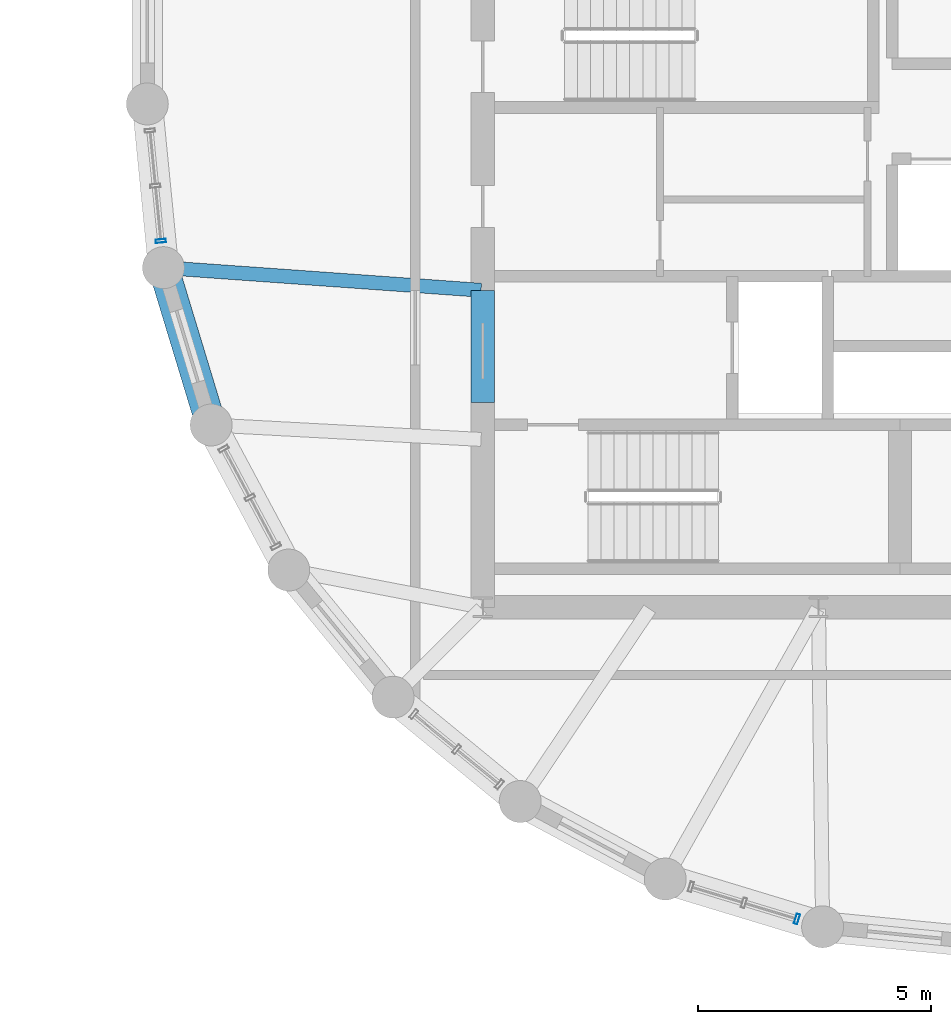
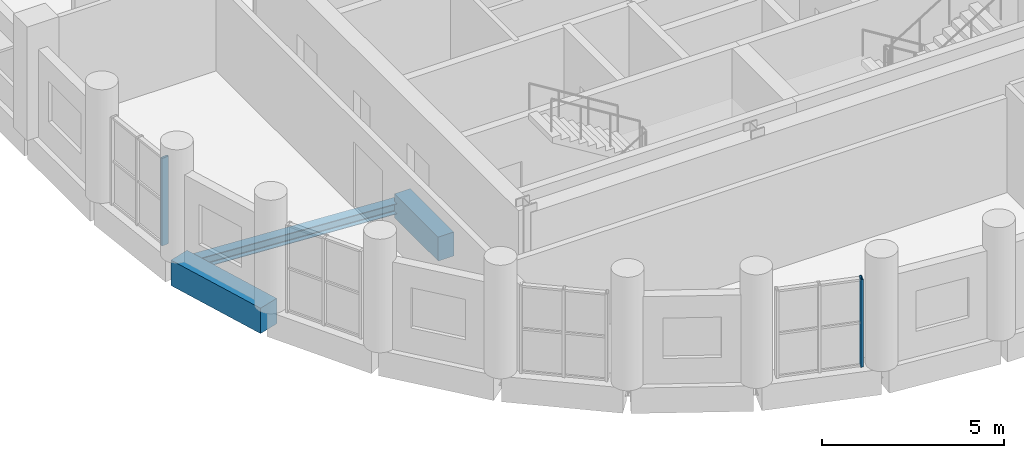
# One storey, part 3 of 14: 3 beams, 2 members, 2 elements without a shape of their own.
"""IFC4 building model written with IfcOpenShell, lengths in metres."""

from ifc_helpers import new_model, si_unit, direction, frame, origin, origin_2d, place, context, subcontext, project, spatial, rectangle, hollow_rectangle, i_section, extrude, material, layer, layer_set, material_profile, profile_set, type_object, element, aggregate, save


model = new_model("IFC4")

# Units and contexts
model_context = context("Model", 3, precision=1e-05, world=origin(), true_north=direction((0.0, 1.0)))
body_context = subcontext(model_context, "Body", "Model", "MODEL_VIEW")
ifc_project = project(units=[si_unit("LENGTHUNIT", "METRE"), si_unit("AREAUNIT", "SQUARE_METRE"), si_unit("VOLUMEUNIT", "CUBIC_METRE"), si_unit("PLANEANGLEUNIT", "RADIAN"), si_unit("MASSUNIT", "GRAM", prefix="KILO")], contexts=[model_context])

# Site, building, storey
site_placement = place(None, origin())
site = spatial("IfcSite", under=ifc_project, at=site_placement, CompositionType="ELEMENT")
building_placement = place(site_placement, origin())
building = spatial("IfcBuilding", under=site, at=building_placement, Name="Solnavia Interchange Tower", CompositionType="ELEMENT")
storey_placement = place(building_placement, frame((0.0, 0.0, 158.0)))
storey = spatial("IfcBuildingStorey", under=building, at=storey_placement, Name="L39", CompositionType="ELEMENT", Elevation=158.0)

# Beams
ifc_material_1 = material(Name="Concrete C50/60", Category="concrete")
ifc_material_profile_1 = material_profile(ifc_material_1, rectangle(XDim=0.5, YDim=0.800048828125, at=origin_2d()), Name="RC 500x800")
ifc_profile_set_1 = profile_set([ifc_material_profile_1], Name="Concrete C50/60")
beam_type_1 = type_object("IfcBeamType", Name="Beam-Coupling-RC500x800", PredefinedType="LINTEL", material=ifc_profile_set_1)
beam_1_placement = place(storey_placement, frame((14.39990234375, 15.199951171875, -0.39990234375), z_axis=(0.0, 1.0, 0.0), x_axis=(-1.0, 0.0, 0.0)))
element("IfcBeam", 1, at=beam_1_placement, inside=storey, type_object=beam_type_1, Name="CPB-L39-W1 Core coupling lintel beam", PredefinedType="LINTEL", context=body_context, shape_type="SweptSolid", body=[
    extrude(rectangle(XDim=0.5, YDim=0.800048828125, at=origin_2d()), origin(), (0.0, 0.0, 1.0), 2.400146484375),
])
ifc_material_2 = material(Name="Steel S355", Category="steel")
ifc_material_profile_2 = material_profile(ifc_material_2, i_section(OverallWidth=0.300048828125, OverallDepth=0.35009765625, WebThickness=0.010009765625, FlangeThickness=0.017578125, FilletRadius=0.027099609375, at=origin_2d()), Name="HEA 360")
ifc_profile_set_2 = profile_set([ifc_material_profile_2], Name="Steel S355")
beam_type_2 = type_object("IfcBeamType", Name="Beam-Primary-HEA360", PredefinedType="BEAM", material=ifc_profile_set_2)
beam_2_placement = place(storey_placement, frame((7.625732421875, 18.082275390625, -0.425048828125), z_axis=(0.99747482749, -0.071020902015, 0.0), x_axis=(0.071020902015, 0.99747482749, 0.0)))
element("IfcBeam", 2, at=beam_2_placement, inside=storey, type_object=beam_type_2, Name="GRD-L39-DR14 Drum radial floor girder", PredefinedType="BEAM", context=body_context, shape_type="SweptSolid", body=[
    extrude(i_section(OverallWidth=0.300048828125, OverallDepth=0.35009765625, WebThickness=0.010009765625, FlangeThickness=0.017578125, FilletRadius=0.027099609375, at=origin_2d()), origin(), (0.0, 0.0, 1.0), 6.75146484375),
])
ifc_material_profile_3 = material_profile(ifc_material_1, rectangle(XDim=0.64990234375, YDim=0.85009765625, at=origin_2d()), Name="RC 650x850")
ifc_profile_set_3 = profile_set([ifc_material_profile_3], Name="Concrete C50/60")
beam_type_3 = type_object("IfcBeamType", Name="Beam-Spandrel-RC650x850", PredefinedType="SPANDREL", material=ifc_profile_set_3)
beam_3_placement = place(storey_placement, frame((7.569091796875, 18.011474609375, -0.425048828125), z_axis=(0.290319223646, -0.956929855518, 0.0), x_axis=(0.956929855518, 0.290319223646, 0.0)))
element("IfcBeam", 3, at=beam_3_placement, inside=storey, type_object=beam_type_3, Name="SPB-L39-02 Framed-tube perimeter spandrel beam", PredefinedType="SPANDREL", context=body_context, shape_type="SweptSolid", body=[
    extrude(rectangle(XDim=0.64990234375, YDim=0.85009765625, at=origin_2d()), origin(), (0.0, 0.0, 1.0), 3.367919921875),
])

# Curtain wall, member
ifc_material_3 = material(Name="Aluminium Alloy 6063-T6", Category="aluminium")
ifc_layer = layer(ifc_material_3, 0.239990234375)
ifc_layer_set = layer_set([ifc_layer], Name="Aluminium Alloy 6063-T6")
curtain_wall_type = type_object("IfcCurtainWallType", Name="CurtainWall-Drum-CTW2", PredefinedType="NOTDEFINED", material=ifc_layer_set)
curtain_wall_1_placement = place(storey_placement, origin())
curtain_wall_1 = element("IfcCurtainWall", 4, at=curtain_wall_1_placement, inside=storey, type_object=curtain_wall_type, Name="CTW-L39-D51 CTW-2 curtain wall", PredefinedType="NOTDEFINED")
ifc_material_profile_4 = material_profile(ifc_material_3, hollow_rectangle(XDim=0.074951171875, YDim=0.219970703125, WallThickness=0.0048828125, at=origin_2d()), Name="ALU 220x75x5")
ifc_profile_set_4 = profile_set([ifc_material_profile_4], Name="Aluminium Alloy 6063-T6")
member_type = type_object("IfcMemberType", Name="CW-Mullion-CWM-2", PredefinedType="MULLION", material=ifc_profile_set_4)
member_1_placement = place(storey_placement, frame((7.489501953125, 18.66015625, 0.0), z_axis=(0.0, 0.0, 1.0), x_axis=(0.098043088306, -0.995182170678, 0.0)))
member_1 = element("IfcMember", 5, at=member_1_placement, type_object=member_type, Name="CTW-2 mullion 3", PredefinedType="MULLION", context=body_context, shape_type="SweptSolid", body=[
    extrude(hollow_rectangle(XDim=0.074951171875, YDim=0.219970703125, WallThickness=0.0048828125, at=origin_2d()), origin(), (0.0, 0.0, 1.0), 2.929931640625),
])
aggregate(curtain_wall_1, [member_1])

curtain_wall_2_placement = place(storey_placement, origin())
curtain_wall_2 = element("IfcCurtainWall", 6, at=curtain_wall_2_placement, inside=storey, type_object=curtain_wall_type, Name="CTW-L39-D57 CTW-2 curtain wall", PredefinedType="NOTDEFINED")
member_2_placement = place(storey_placement, frame((21.1376953125, 4.11279296875, 0.0), z_axis=(0.0, 0.0, 1.0), x_axis=(0.956942072515, -0.290278951786, 0.0)))
member_2 = element("IfcMember", 7, at=member_2_placement, type_object=member_type, Name="CTW-2 mullion 3", PredefinedType="MULLION", context=body_context, shape_type="SweptSolid", body=[
    extrude(hollow_rectangle(XDim=0.074951171875, YDim=0.219970703125, WallThickness=0.0048828125, at=origin_2d()), origin(), (0.0, 0.0, 1.0), 2.929931640625),
])
aggregate(curtain_wall_2, [member_2])

save(model, "model.ifc")
